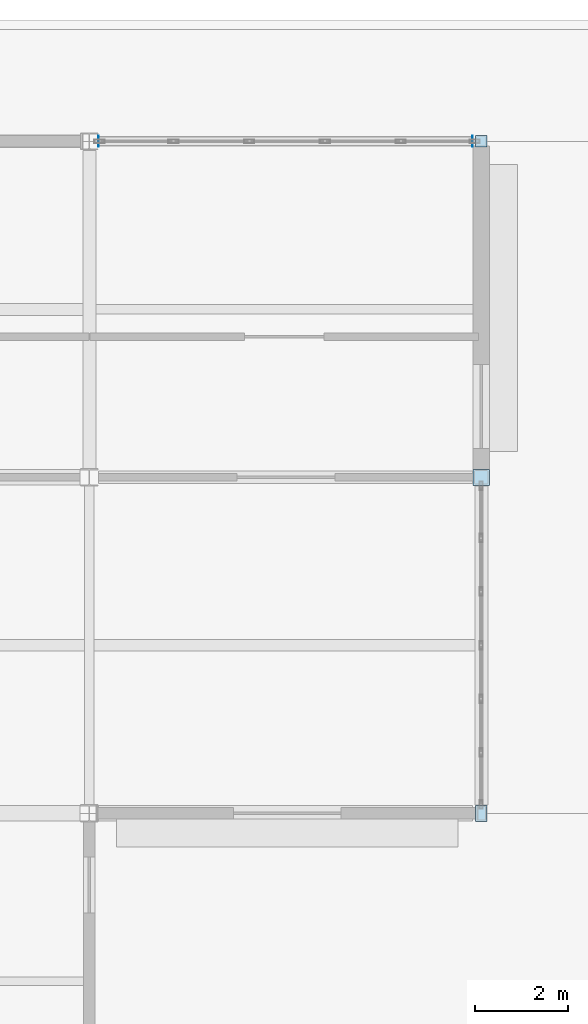
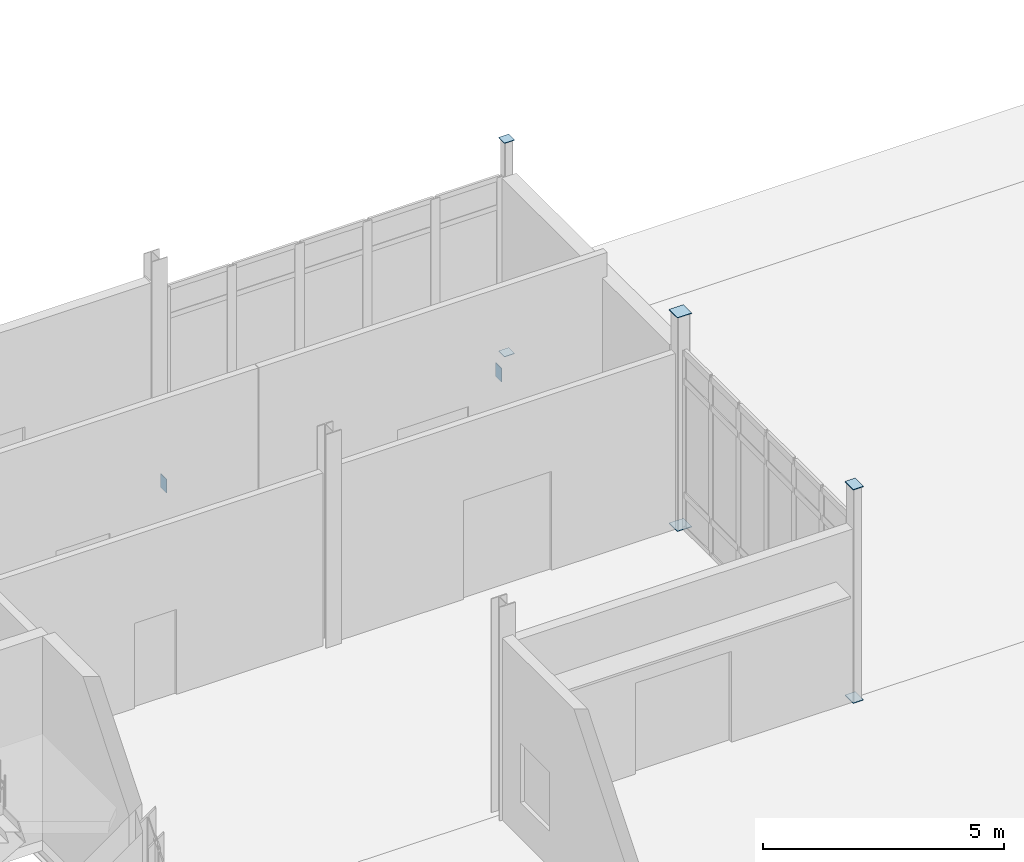
# One storey, part 177 of 229: 8 plates.
"""IFC4 building model written with IfcOpenShell, lengths in metres."""

from ifc_helpers import new_model, si_unit, direction, frame, origin, origin_2d, place, context, subcontext, project, spatial, rectangle, extrude, material, layer, layer_set, type_object, element, save


model = new_model("IFC4")

# Units and contexts
model_context = context("Model", 3, precision=1e-05, world=origin(), true_north=direction((0.0, 1.0)))
body_context = subcontext(model_context, "Body", "Model", "MODEL_VIEW")
ifc_project = project(units=[si_unit("LENGTHUNIT", "METRE"), si_unit("AREAUNIT", "SQUARE_METRE"), si_unit("VOLUMEUNIT", "CUBIC_METRE"), si_unit("PLANEANGLEUNIT", "RADIAN"), si_unit("MASSUNIT", "GRAM", prefix="KILO")], contexts=[model_context])

# Site, building, storey
site_placement = place(None, origin())
site = spatial("IfcSite", under=ifc_project, at=site_placement, CompositionType="ELEMENT")
building_placement = place(site_placement, origin())
building = spatial("IfcBuilding", under=site, at=building_placement, Name="Calvrana Isthmian Art Gallery", CompositionType="ELEMENT")
storey_placement = place(building_placement, origin())
storey = spatial("IfcBuildingStorey", under=building, at=storey_placement, Name="L00", CompositionType="ELEMENT", Elevation=0.0)

# Plates
ifc_material = material(Name="Steel ASTM A572 Gr 50", Category="steel")
ifc_layer = layer(ifc_material, 0.01611328125, Name="Steel ASTM A572 Gr 50")
ifc_layer_set = layer_set([ifc_layer], Name="Steel ASTM A572 Gr 50")
plate_type = type_object("IfcPlateType", Name="PL-CAP-16", PredefinedType="SHEET", material=ifc_layer_set)
for number, where, z_axis, x_axis, name in (
    (1, (72.0, 98.39990234375, -0.008056640625), (0.0, 0.0, 1.0), (1.0, 0.0, 0.0), "Hollow section end cap plate 175"),
    (2, (72.0, 98.39990234375, 5.391845703125), (0.0, 0.0, 1.0), (1.0, 0.0, 0.0), "Hollow section end cap plate 176"),
):
    element("IfcPlate", number, at=place(storey_placement, frame(where, z_axis=z_axis, x_axis=x_axis)), inside=storey, type_object=plate_type, Name=name, PredefinedType="SHEET", context=body_context, shape_type="SweptSolid", body=[
        extrude(rectangle(XDim=0.2431640625, YDim=0.3447265625, at=origin_2d()), origin(), (0.0, 0.0, 1.0), 0.01611328125),
    ])
for number, where, z_axis, x_axis, name in (
    (3, (72.0, 105.60009765625, -0.008056640625), (0.0, 0.0, 1.0), (1.0, 0.0, 0.0), "Hollow section end cap plate 177"),
    (4, (72.0, 105.60009765625, 5.391845703125), (0.0, 0.0, 1.0), (1.0, 0.0, 0.0), "Hollow section end cap plate 178"),
):
    element("IfcPlate", number, at=place(storey_placement, frame(where, z_axis=z_axis, x_axis=x_axis)), inside=storey, type_object=plate_type, Name=name, PredefinedType="SHEET", context=body_context, shape_type="SweptSolid", body=[
        extrude(rectangle(XDim=0.3447265625, YDim=0.3447265625, at=origin_2d()), origin(), (0.0, 0.0, 1.0), 0.01611328125),
    ])
for number, where, z_axis, x_axis, name in (
    (5, (72.0, 112.800048828125, -0.008056640625), (0.0, 0.0, 1.0), (1.0, 0.0, 0.0), "Hollow section end cap plate 179"),
    (6, (72.0, 112.800048828125, 5.391845703125), (0.0, 0.0, 1.0), (1.0, 0.0, 0.0), "Hollow section end cap plate 180"),
):
    element("IfcPlate", number, at=place(storey_placement, frame(where, z_axis=z_axis, x_axis=x_axis)), inside=storey, type_object=plate_type, Name=name, PredefinedType="SHEET", context=body_context, shape_type="SweptSolid", body=[
        extrude(rectangle(XDim=0.2431640625, YDim=0.2431640625, at=origin_2d()), origin(), (0.0, 0.0, 1.0), 0.01611328125),
    ])
for number, where, z_axis, x_axis, name in (
    (7, (63.799560546875, 112.800048828125, -0.60986328125), (0.0, 0.0, 1.0), (1.0, 0.0, 0.0), "Hollow section end cap plate 401"),
    (8, (71.8134765625, 112.800048828125, -0.60986328125), (0.0, 0.0, 1.0), (1.0, 0.0, 0.0), "Hollow section end cap plate 402"),
):
    element("IfcPlate", number, at=place(storey_placement, frame(where, z_axis=z_axis, x_axis=x_axis)), inside=storey, type_object=plate_type, Name=name, PredefinedType="SHEET", context=body_context, shape_type="SweptSolid", body=[
        extrude(rectangle(XDim=0.01611328125, YDim=0.2431640625, at=origin_2d()), origin(), (0.0, 0.0, 1.0), 0.3447265625),
    ])

save(model, "model.ifc")
